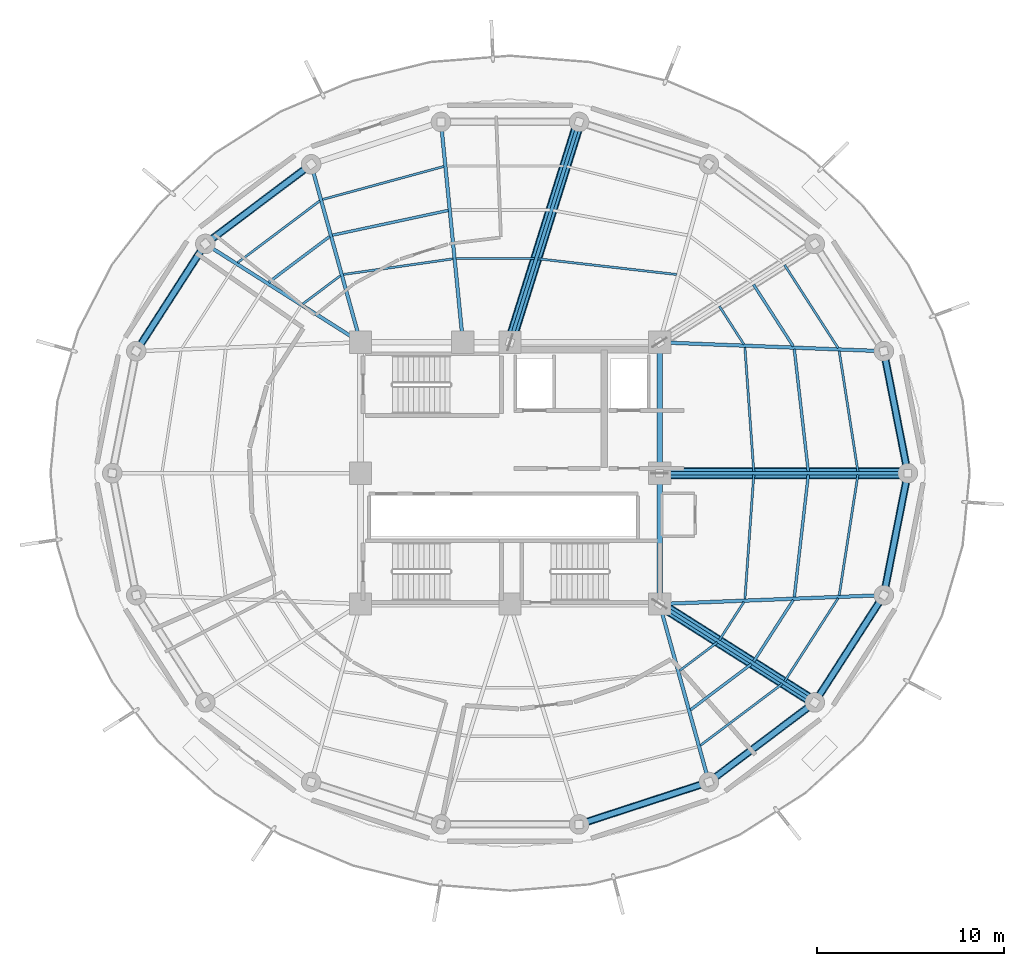
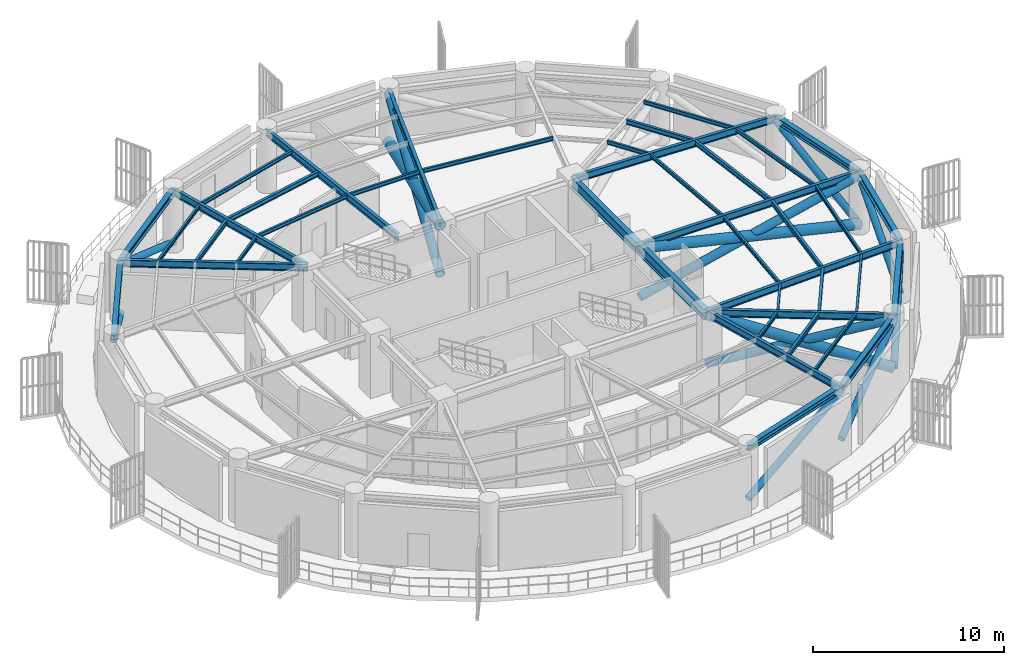
# One storey, part 2 of 10: 41 beams, 13 members.
"""IFC4 building model written with IfcOpenShell, lengths in metres."""

import ifcopenshell
import ifcopenshell.guid

model = None  # the IFC model being written
_history = None  # IfcOwnerHistory: only IFC2X3 demands one
_inside = {}  # id of a spatial element -> (the spatial element, [elements in it])
_under = {}  # id of a project, library or spatial element -> (it, [spatial elements below it])
_declared = {}  # id of a project -> (the project, [libraries it declares])
_typed = {}  # id of a type object -> (the type object, [elements of that type])
_made_of = {}  # id of a material, layer set ... -> (it, [elements and type objects made of it])


def new_model(schema):
    """Start an empty IFC model of exactly this schema.

    Asked for "IFC4X3", IfcOpenShell would pick the latest addendum, in which some entities
    have other attributes; the version numbers below select the first issue.
    IFC2X3 requires an IfcOwnerHistory on every rooted entity: one is made here for all.
    """
    global model, _history
    if schema == "IFC4X3":
        model = ifcopenshell.file(schema_version=(4, 3, 0, 0))
    else:
        model = ifcopenshell.file(schema=schema)
    _inside.clear()
    _under.clear()
    _declared.clear()
    _typed.clear()
    _made_of.clear()
    _history = None
    if model.schema == "IFC2X3":
        org = make("IfcOrganization", Name="unknown")
        user = make(
            "IfcPersonAndOrganization",
            ThePerson=make("IfcPerson", FamilyName="unknown"),
            TheOrganization=org,
        )
        app = make(
            "IfcApplication",
            ApplicationDeveloper=org,
            Version="unknown",
            ApplicationFullName="unknown",
            ApplicationIdentifier="unknown",
        )
        _history = make(
            "IfcOwnerHistory",
            OwningUser=user,
            OwningApplication=app,
            ChangeAction="ADDED",
            CreationDate=0,
        )
    return model


def make(cls, **values):
    """One entity of the class cls with the attributes given. An attribute that is None is left unset."""
    return model.create_entity(
        cls, **{name: value for name, value in values.items() if value is not None}
    )


def rooted(cls, **values):
    """An entity with a GlobalId (a new one), such as an element, a storey or a relation."""
    return make(cls, GlobalId=ifcopenshell.guid.new(), OwnerHistory=_history, **values)


def si_unit(unit_type, name, prefix=None):
    """IfcSIUnit, for example si_unit("LENGTHUNIT", "METRE", prefix="MILLI")."""
    return make("IfcSIUnit", UnitType=unit_type, Prefix=prefix, Name=name)


def assignment(units):
    """IfcUnitAssignment: the units of a project."""
    return None if units is None else make("IfcUnitAssignment", Units=units)


def point(xyz):
    """IfcCartesianPoint."""
    return None if xyz is None else make("IfcCartesianPoint", Coordinates=xyz)


def direction(xyz):
    """IfcDirection."""
    return None if xyz is None else make("IfcDirection", DirectionRatios=xyz)


def frame(location, z_axis=None, x_axis=None):
    """IfcAxis2Placement3D, a coordinate frame: its origin and axes. An axis left out is left unset."""
    return make(
        "IfcAxis2Placement3D",
        Location=point(location),
        Axis=direction(z_axis),
        RefDirection=direction(x_axis),
    )


def frame_2d(location, x_axis=None):
    """IfcAxis2Placement2D, a coordinate frame in the plane: its origin and x axis."""
    return make(
        "IfcAxis2Placement2D", Location=point(location), RefDirection=direction(x_axis)
    )


def origin():
    """The frame at (0, 0, 0) with its axes left unset."""
    return frame((0.0, 0.0, 0.0))


def origin_2d():
    """The frame at (0, 0) in the plane with its x axis left unset."""
    return frame_2d((0.0, 0.0))


def place(relative_to, where):
    """IfcLocalPlacement: puts the frame where relative to a parent placement (None: the world)."""
    return make(
        "IfcLocalPlacement", PlacementRelTo=relative_to, RelativePlacement=where
    )


def context(
    kind, dimensions, precision=None, world=None, true_north=None, identifier=None
):
    """IfcGeometricRepresentationContext, for example the 3D "Model" context."""
    return make(
        "IfcGeometricRepresentationContext",
        ContextIdentifier=identifier,
        ContextType=kind,
        CoordinateSpaceDimension=dimensions,
        Precision=precision,
        WorldCoordinateSystem=world,
        TrueNorth=true_north,
    )


def subcontext(parent, identifier, kind, view, scale=None):
    """IfcGeometricRepresentationSubContext, for example "Body" below "Model"."""
    return make(
        "IfcGeometricRepresentationSubContext",
        ContextIdentifier=identifier,
        ContextType=kind,
        ParentContext=parent,
        TargetScale=scale,
        TargetView=view,
    )


def project(units=None, contexts=None):
    """IfcProject with its units and contexts."""
    return rooted(
        "IfcProject",
        Name="project",
        RepresentationContexts=contexts,
        UnitsInContext=assignment(units),
    )


def spatial(cls, under=None, at=None, **own):
    """A site, building, storey or space (cls), placed at a placement, below another one or the project."""
    s = rooted(cls, ObjectPlacement=at, **own)
    if under is not None:
        _under.setdefault(under.id(), (under, []))[1].append(s)
    return s


def profile(cls, at=None, kind="AREA", **sizes):
    """A parametric profile (cls). Its sizes go by their IFC names, for example OverallWidth=200.0."""
    return make(cls, ProfileType=kind, Position=at, **sizes)


def hollow_circle(**sizes):
    """IfcCircleHollowProfileDef."""
    return profile("IfcCircleHollowProfileDef", **sizes)


def i_section(**sizes):
    """IfcIShapeProfileDef."""
    return profile("IfcIShapeProfileDef", **sizes)


def extrude(swept, where, along, depth):
    """IfcExtrudedAreaSolid: the profile swept, set in the frame where, extruded along a direction by depth."""
    return make(
        "IfcExtrudedAreaSolid",
        SweptArea=swept,
        Position=where,
        ExtrudedDirection=direction(along),
        Depth=depth,
    )


def shape(context_of_items, identifier, shape_type, items):
    """IfcShapeRepresentation: the items that make up one representation, for example the "Body"."""
    return make(
        "IfcShapeRepresentation",
        ContextOfItems=context_of_items,
        RepresentationIdentifier=identifier,
        RepresentationType=shape_type,
        Items=items,
    )


def material(Name=None, Category=None):
    """IfcMaterial."""
    return make("IfcMaterial", Name=Name, Category=Category)


def material_profile(
    of_material, cross_section, Name=None, Category=None, Priority=None
):
    """IfcMaterialProfile: a cross section and its material."""
    return make(
        "IfcMaterialProfile",
        Name=Name,
        Material=of_material,
        Profile=cross_section,
        Priority=Priority,
        Category=Category,
    )


def profile_set(profiles, Name=None, composite=None):
    """IfcMaterialProfileSet."""
    return make(
        "IfcMaterialProfileSet",
        Name=Name,
        MaterialProfiles=profiles,
        CompositeProfile=composite,
    )


def made_of(thing, what):
    """Note that an element or type object is made of a material, layer set ...; save() writes the relation."""
    if what is not None:
        _made_of.setdefault(what.id(), (what, []))[1].append(thing)
    return thing


def type_object(cls, material=None, **own):
    """A type object (cls), such as IfcWallType, which elements share."""
    return made_of(rooted(cls, **own), material)


def element(
    cls,
    number,
    at=None,
    inside=None,
    cuts=None,
    type_object=None,
    material=None,
    context=None,
    identifier="Body",
    shape_type=None,
    held_by="IfcProductDefinitionShape",
    body=None,
    shapes=None,
    **own,
):
    """One element of the class cls, such as IfcWall. Its Tag is "e" and its number.

    at: its placement. inside: the storey or other place that contains it. cuts: it is an
    opening in that element (IfcRelVoidsElement). A single representation is given by context,
    identifier, shape_type and body (its items); several are given by shapes. held_by: the class
    of the entity that holds the representations. save() writes the other relations.
    """
    e = rooted(cls, Tag="e%d" % number, ObjectPlacement=at, **own)
    if body is not None:
        shapes = [shape(context, identifier, shape_type, body)]
    if shapes is not None:
        e.Representation = make(held_by, Representations=shapes)
    if inside is not None:
        _inside.setdefault(inside.id(), (inside, []))[1].append(e)
    if cuts is not None:
        rooted(
            "IfcRelVoidsElement", RelatingBuildingElement=cuts, RelatedOpeningElement=e
        )
    if type_object is not None:
        _typed.setdefault(type_object.id(), (type_object, []))[1].append(e)
    return made_of(e, material)


def aggregate(whole, parts):
    """IfcRelAggregates: a whole, such as a stair, and the parts it consists of."""
    return rooted("IfcRelAggregates", RelatingObject=whole, RelatedObjects=parts)


def save(model, path):
    """Write the relations noted so far, then the file.

    IfcRelAggregates (storeys below a building ...), IfcRelContainedInSpatialStructure (elements
    in a storey), IfcRelDefinesByType, IfcRelAssociatesMaterial and IfcRelDeclares: one each for
    every whole, place, type object, material and project.
    """
    for whole, parts in _under.values():
        aggregate(whole, parts)
    for where, things in _inside.values():
        rooted(
            "IfcRelContainedInSpatialStructure",
            RelatedElements=things,
            RelatingStructure=where,
        )
    for kind, things in _typed.values():
        rooted("IfcRelDefinesByType", RelatedObjects=things, RelatingType=kind)
    for what, things in _made_of.values():
        rooted("IfcRelAssociatesMaterial", RelatedObjects=things, RelatingMaterial=what)
    for by, libraries in _declared.values():
        rooted("IfcRelDeclares", RelatingContext=by, RelatedDefinitions=libraries)
    model.write(path)


model = new_model("IFC4")

# Units and contexts
model_context = context("Model", 3, precision=1e-05, world=origin(), true_north=direction((0.0, 1.0)))
body_context = subcontext(model_context, "Body", "Model", "MODEL_VIEW")
ifc_project = project(units=[si_unit("LENGTHUNIT", "METRE"), si_unit("AREAUNIT", "SQUARE_METRE"), si_unit("VOLUMEUNIT", "CUBIC_METRE"), si_unit("PLANEANGLEUNIT", "RADIAN"), si_unit("MASSUNIT", "GRAM", prefix="KILO")], contexts=[model_context])

# Site, building, storey
site_placement = place(None, origin())
site = spatial("IfcSite", under=ifc_project, at=site_placement, CompositionType="ELEMENT")
building_placement = place(site_placement, origin())
building = spatial("IfcBuilding", under=site, at=building_placement, Name="Kelanora Arch Commons", CompositionType="ELEMENT")
storey_placement = place(building_placement, frame((0.0, 0.0, 189.110107421875)))
storey = spatial("IfcBuildingStorey", under=building, at=storey_placement, Name="L48", CompositionType="ELEMENT", Elevation=189.110107421875)

# Beams
ifc_material = material(Name="Steel S355", Category="steel")
ifc_material_profile_1 = material_profile(ifc_material, i_section(OverallWidth=0.300048828125, OverallDepth=0.699951171875, WebThickness=0.01708984375, FlangeThickness=0.031982421875, FilletRadius=0.027099609375, at=origin_2d()), Name="HEB700")
ifc_profile_set_1 = profile_set([ifc_material_profile_1], Name="Steel S355")
beam_type_1 = type_object("IfcBeamType", Name="BM-CORE-HDR", PredefinedType="BEAM", material=ifc_profile_set_1)
for number, where, z_axis, x_axis, name in (
    (1, (82.0, 51.0, 3.47998046875), (0.0, 1.0, 0.0), (-1.0, 0.0, 0.0), "Core Header Beam 03 L48"),
    (2, (82.0, 58.0, 3.47998046875), (0.0, 1.0, 0.0), (-1.0, 0.0, 0.0), "Core Header Beam 04 L48"),
):
    element("IfcBeam", number, at=place(storey_placement, frame(where, z_axis=z_axis, x_axis=x_axis)), inside=storey, type_object=beam_type_1, Name=name, PredefinedType="BEAM", context=body_context, shape_type="SweptSolid", body=[
        extrude(i_section(OverallWidth=0.300048828125, OverallDepth=0.699951171875, WebThickness=0.01708984375, FlangeThickness=0.031982421875, FilletRadius=0.027099609375, at=origin_2d()), origin(), (0.0, 0.0, 1.0), 7.0),
    ])
ifc_material_profile_2 = material_profile(ifc_material, i_section(OverallWidth=0.14990234375, OverallDepth=0.300048828125, WebThickness=0.007080078125, FlangeThickness=0.0107421875, FilletRadius=0.014892578125, at=origin_2d()), Name="IPE300")
ifc_profile_set_2 = profile_set([ifc_material_profile_2], Name="Steel S355")
beam_type_2 = type_object("IfcBeamType", Name="BM-JST-01", PredefinedType="JOIST", material=ifc_profile_set_2)
beam_1_placement = place(storey_placement, frame((89.958251953125, 58.08447265625, 3.679931640625), z_axis=(-0.113891408177, 0.993493204377, 0.0), x_axis=(-0.993493204377, -0.113891408177, 0.0)))
element("IfcBeam", 3, at=beam_1_placement, inside=storey, type_object=beam_type_2, Name="Secondary Chord Joist BJB-00 L48", PredefinedType="JOIST", context=body_context, shape_type="SweptSolid", body=[
    extrude(i_section(OverallWidth=0.14990234375, OverallDepth=0.300048828125, WebThickness=0.007080078125, FlangeThickness=0.0107421875, FilletRadius=0.014892578125, at=origin_2d()), origin(), (0.0, 0.0, 1.0), 6.589599609375),
])
beam_2_placement = place(storey_placement, frame((89.152099609375, 64.786865234375, 3.679931640625), z_axis=(-0.541411265892, 0.840757896879, 0.0), x_axis=(-0.840757896879, -0.541411265892, 0.0)))
element("IfcBeam", 4, at=beam_2_placement, inside=storey, type_object=beam_type_2, Name="Secondary Chord Joist BJB-02 L48", PredefinedType="JOIST", context=body_context, shape_type="SweptSolid", body=[
    extrude(i_section(OverallWidth=0.14990234375, OverallDepth=0.300048828125, WebThickness=0.007080078125, FlangeThickness=0.0107421875, FilletRadius=0.014892578125, at=origin_2d()), origin(), (0.0, 0.0, 1.0), 3.92529296875),
])
beam_3_placement = place(storey_placement, frame((70.69189453125, 72.056396484375, 3.679931640625), z_axis=(-0.977893715981, -0.209102559153, 0.0), x_axis=(0.209102559153, -0.977893715981, 0.0)))
element("IfcBeam", 5, at=beam_3_placement, inside=storey, type_object=beam_type_2, Name="Secondary Chord Joist BJB-10 L48", PredefinedType="JOIST", context=body_context, shape_type="SweptSolid", body=[
    extrude(i_section(OverallWidth=0.14990234375, OverallDepth=0.300048828125, WebThickness=0.007080078125, FlangeThickness=0.0107421875, FilletRadius=0.014892578125, at=origin_2d()), origin(), (0.0, 0.0, 1.0), 6.332763671875),
])
for number, where, z_axis, x_axis, name in (
    (6, (64.34814453125, 70.6630859375, 3.679931640625), (-0.799101708656, -0.601195857624, 0.0), (0.601195857624, -0.799101708656, 0.0), "Secondary Chord Joist BJB-12 L48"),
    (7, (83.65185546875, 45.3369140625, 3.679931640625), (0.799101708656, 0.601195857624, 0.0), (-0.601195857624, 0.799101708656, 0.0), "Secondary Chord Joist BJB-30 L48"),
):
    element("IfcBeam", number, at=place(storey_placement, frame(where, z_axis=z_axis, x_axis=x_axis)), inside=storey, type_object=beam_type_2, Name=name, PredefinedType="JOIST", context=body_context, shape_type="SweptSolid", body=[
        extrude(i_section(OverallWidth=0.14990234375, OverallDepth=0.300048828125, WebThickness=0.007080078125, FlangeThickness=0.0107421875, FilletRadius=0.014892578125, at=origin_2d()), origin(), (0.0, 0.0, 1.0), 4.080810546875),
    ])
beam_4_placement = place(storey_placement, frame((87.02685546875, 47.912841796875, 3.679931640625), z_axis=(0.541411265892, 0.840757896879, 0.0), x_axis=(-0.840757896879, 0.541411265892, 0.0)))
element("IfcBeam", 8, at=beam_4_placement, inside=storey, type_object=beam_type_2, Name="Secondary Chord Joist BJB-32 L48", PredefinedType="JOIST", context=body_context, shape_type="SweptSolid", body=[
    extrude(i_section(OverallWidth=0.14990234375, OverallDepth=0.300048828125, WebThickness=0.007080078125, FlangeThickness=0.0107421875, FilletRadius=0.014892578125, at=origin_2d()), origin(), (0.0, 0.0, 1.0), 3.92529296875),
])
beam_5_placement = place(storey_placement, frame((89.207763671875, 51.368896484375, 3.679931640625), z_axis=(0.113891408177, 0.993493204377, 0.0), x_axis=(-0.993493204377, 0.113891408177, 0.0)))
element("IfcBeam", 9, at=beam_5_placement, inside=storey, type_object=beam_type_2, Name="Secondary Chord Joist BJB-34 L48", PredefinedType="JOIST", context=body_context, shape_type="SweptSolid", body=[
    extrude(i_section(OverallWidth=0.14990234375, OverallDepth=0.300048828125, WebThickness=0.007080078125, FlangeThickness=0.0107421875, FilletRadius=0.014892578125, at=origin_2d()), origin(), (0.0, 0.0, 1.0), 6.589599609375),
])
ifc_material_profile_3 = material_profile(ifc_material, i_section(OverallWidth=0.1201171875, OverallDepth=0.239990234375, WebThickness=0.006103515625, FlangeThickness=0.009765625, FilletRadius=0.014892578125, at=origin_2d()), Name="IPE240")
ifc_profile_set_3 = profile_set([ifc_material_profile_3], Name="Steel S355")
beam_type_3 = type_object("IfcBeamType", Name="BM-JST-02", PredefinedType="JOIST", material=ifc_profile_set_3)
beam_6_placement = place(storey_placement, frame((87.040283203125, 58.084716796875, 3.7099609375), z_axis=(-0.07133032136, 0.997452748382, 0.0), x_axis=(-0.997452748382, -0.07133032136, 0.0)))
element("IfcBeam", 10, at=beam_6_placement, inside=storey, type_object=beam_type_3, Name="Secondary Chord Joist BJA-00 L48", PredefinedType="JOIST", context=body_context, shape_type="SweptSolid", body=[
    extrude(i_section(OverallWidth=0.1201171875, OverallDepth=0.239990234375, WebThickness=0.006103515625, FlangeThickness=0.009765625, FilletRadius=0.014892578125, at=origin_2d()), origin(), (0.0, 0.0, 1.0), 6.66748046875),
])
beam_7_placement = place(storey_placement, frame((92.611083984375, 58.083984375, 3.7099609375), z_axis=(-0.153256756152, 0.988186402808, 0.0), x_axis=(-0.988186402808, -0.153256756152, 0.0)))
element("IfcBeam", 11, at=beam_7_placement, inside=storey, type_object=beam_type_3, Name="Secondary Chord Joist BJC-00 L48", PredefinedType="JOIST", context=body_context, shape_type="SweptSolid", body=[
    extrude(i_section(OverallWidth=0.1201171875, OverallDepth=0.239990234375, WebThickness=0.006103515625, FlangeThickness=0.009765625, FilletRadius=0.014892578125, at=origin_2d()), origin(), (0.0, 0.0, 1.0), 6.52978515625),
])
beam_8_placement = place(storey_placement, frame((86.5126953125, 64.89111328125, 3.7099609375), z_axis=(-0.541332763503, 0.840808443796, 0.0), x_axis=(-0.840808443796, -0.541332763503, 0.0)))
element("IfcBeam", 12, at=beam_8_placement, inside=storey, type_object=beam_type_3, Name="Secondary Chord Joist BJA-02 L48", PredefinedType="JOIST", context=body_context, shape_type="SweptSolid", body=[
    extrude(i_section(OverallWidth=0.1201171875, OverallDepth=0.239990234375, WebThickness=0.006103515625, FlangeThickness=0.009765625, FilletRadius=0.014892578125, at=origin_2d()), origin(), (0.0, 0.0, 1.0), 2.423583984375),
])
beam_9_placement = place(storey_placement, frame((91.55126953125, 64.69189453125, 3.7099609375), z_axis=(-0.541382492679, 0.840776424872, 0.0), x_axis=(-0.840776424872, -0.541382492679, 0.0)))
element("IfcBeam", 13, at=beam_9_placement, inside=storey, type_object=beam_type_3, Name="Secondary Chord Joist BJC-02 L48", PredefinedType="JOIST", context=body_context, shape_type="SweptSolid", body=[
    extrude(i_section(OverallWidth=0.1201171875, OverallDepth=0.239990234375, WebThickness=0.006103515625, FlangeThickness=0.009765625, FilletRadius=0.014892578125, at=origin_2d()), origin(), (0.0, 0.0, 1.0), 5.29052734375),
])
beam_10_placement = place(storey_placement, frame((82.918701171875, 68.628662109375, 3.7099609375), z_axis=(-0.993639672263, 0.11260640171, 0.0), x_axis=(-0.11260640171, -0.993639672263, 0.0)))
element("IfcBeam", 14, at=beam_10_placement, inside=storey, type_object=beam_type_3, Name="Secondary Chord Joist BJA-06 L48", PredefinedType="JOIST", context=body_context, shape_type="SweptSolid", body=[
    extrude(i_section(OverallWidth=0.1201171875, OverallDepth=0.239990234375, WebThickness=0.006103515625, FlangeThickness=0.009765625, FilletRadius=0.014892578125, at=origin_2d()), origin(), (0.0, 0.0, 1.0), 7.477783203125),
])
beam_11_placement = place(storey_placement, frame((75.319091796875, 69.480224609375, 3.7099609375), z_axis=(-1.0, 0.0, 0.0), x_axis=(0.0, -1.0, 0.0)))
element("IfcBeam", 15, at=beam_11_placement, inside=storey, type_object=beam_type_3, Name="Secondary Chord Joist BJA-08 L48", PredefinedType="JOIST", context=body_context, shape_type="SweptSolid", body=[
    extrude(i_section(OverallWidth=0.1201171875, OverallDepth=0.239990234375, WebThickness=0.006103515625, FlangeThickness=0.009765625, FilletRadius=0.014892578125, at=origin_2d()), origin(), (0.0, 0.0, 1.0), 4.20068359375),
])
beam_12_placement = place(storey_placement, frame((70.94921875, 69.46826171875, 3.7099609375), z_axis=(-0.989977480435, -0.141225310164, 0.0), x_axis=(0.141225310164, -0.989977480435, 0.0)))
element("IfcBeam", 16, at=beam_12_placement, inside=storey, type_object=beam_type_3, Name="Secondary Chord Joist BJA-10 L48", PredefinedType="JOIST", context=body_context, shape_type="SweptSolid", body=[
    extrude(i_section(OverallWidth=0.1201171875, OverallDepth=0.239990234375, WebThickness=0.006103515625, FlangeThickness=0.009765625, FilletRadius=0.014892578125, at=origin_2d()), origin(), (0.0, 0.0, 1.0), 5.927734375),
])
beam_13_placement = place(storey_placement, frame((70.457763671875, 74.40966796875, 3.7099609375), z_axis=(-0.964804863594, -0.262966870889, 0.0), x_axis=(0.262966870889, -0.964804863594, 0.0)))
element("IfcBeam", 17, at=beam_13_placement, inside=storey, type_object=beam_type_3, Name="Secondary Chord Joist BJC-10 L48", PredefinedType="JOIST", context=body_context, shape_type="SweptSolid", body=[
    extrude(i_section(OverallWidth=0.1201171875, OverallDepth=0.239990234375, WebThickness=0.006103515625, FlangeThickness=0.009765625, FilletRadius=0.014892578125, at=origin_2d()), origin(), (0.0, 0.0, 1.0), 6.724365234375),
])
beam_14_placement = place(storey_placement, frame((64.928955078125, 68.56787109375, 3.7099609375), z_axis=(-0.79911638933, -0.601176343766, 0.0), x_axis=(0.601176343766, -0.79911638933, 0.0)))
element("IfcBeam", 18, at=beam_14_placement, inside=storey, type_object=beam_type_3, Name="Secondary Chord Joist BJA-12 L48", PredefinedType="JOIST", context=body_context, shape_type="SweptSolid", body=[
    extrude(i_section(OverallWidth=0.1201171875, OverallDepth=0.239990234375, WebThickness=0.006103515625, FlangeThickness=0.009765625, FilletRadius=0.014892578125, at=origin_2d()), origin(), (0.0, 0.0, 1.0), 2.522216796875),
])
beam_15_placement = place(storey_placement, frame((63.820068359375, 72.56787109375, 3.7099609375), z_axis=(-0.799109197935, -0.601185902842, 0.0), x_axis=(0.601185902842, -0.799109197935, 0.0)))
element("IfcBeam", 19, at=beam_15_placement, inside=storey, type_object=beam_type_3, Name="Secondary Chord Joist BJC-12 L48", PredefinedType="JOIST", context=body_context, shape_type="SweptSolid", body=[
    extrude(i_section(OverallWidth=0.1201171875, OverallDepth=0.239990234375, WebThickness=0.006103515625, FlangeThickness=0.009765625, FilletRadius=0.014892578125, at=origin_2d()), origin(), (0.0, 0.0, 1.0), 5.497802734375),
])
beam_16_placement = place(storey_placement, frame((83.071044921875, 47.43212890625, 3.7099609375), z_axis=(0.79911638933, 0.601176343766, 0.0), x_axis=(-0.601176343766, 0.79911638933, 0.0)))
element("IfcBeam", 20, at=beam_16_placement, inside=storey, type_object=beam_type_3, Name="Secondary Chord Joist BJA-30 L48", PredefinedType="JOIST", context=body_context, shape_type="SweptSolid", body=[
    extrude(i_section(OverallWidth=0.1201171875, OverallDepth=0.239990234375, WebThickness=0.006103515625, FlangeThickness=0.009765625, FilletRadius=0.014892578125, at=origin_2d()), origin(), (0.0, 0.0, 1.0), 2.522216796875),
])
beam_17_placement = place(storey_placement, frame((84.179931640625, 43.43212890625, 3.7099609375), z_axis=(0.799109197935, 0.601185902842, 0.0), x_axis=(-0.601185902842, 0.799109197935, 0.0)))
element("IfcBeam", 21, at=beam_17_placement, inside=storey, type_object=beam_type_3, Name="Secondary Chord Joist BJC-30 L48", PredefinedType="JOIST", context=body_context, shape_type="SweptSolid", body=[
    extrude(i_section(OverallWidth=0.1201171875, OverallDepth=0.239990234375, WebThickness=0.006103515625, FlangeThickness=0.009765625, FilletRadius=0.014892578125, at=origin_2d()), origin(), (0.0, 0.0, 1.0), 5.497802734375),
])
beam_18_placement = place(storey_placement, frame((85.20068359375, 49.071044921875, 3.7099609375), z_axis=(0.541332763503, 0.840808443796, 0.0), x_axis=(-0.840808443796, 0.541332763503, 0.0)))
element("IfcBeam", 22, at=beam_18_placement, inside=storey, type_object=beam_type_3, Name="Secondary Chord Joist BJA-32 L48", PredefinedType="JOIST", context=body_context, shape_type="SweptSolid", body=[
    extrude(i_section(OverallWidth=0.1201171875, OverallDepth=0.239990234375, WebThickness=0.006103515625, FlangeThickness=0.009765625, FilletRadius=0.014892578125, at=origin_2d()), origin(), (0.0, 0.0, 1.0), 2.423583984375),
])
beam_19_placement = place(storey_placement, frame((88.68701171875, 46.85986328125, 3.7099609375), z_axis=(0.541382492679, 0.840776424872, 0.0), x_axis=(-0.840776424872, 0.541382492679, 0.0)))
element("IfcBeam", 23, at=beam_19_placement, inside=storey, type_object=beam_type_3, Name="Secondary Chord Joist BJC-32 L48", PredefinedType="JOIST", context=body_context, shape_type="SweptSolid", body=[
    extrude(i_section(OverallWidth=0.1201171875, OverallDepth=0.239990234375, WebThickness=0.006103515625, FlangeThickness=0.009765625, FilletRadius=0.014892578125, at=origin_2d()), origin(), (0.0, 0.0, 1.0), 5.29052734375),
])
beam_20_placement = place(storey_placement, frame((86.564697265625, 51.264892578125, 3.7099609375), z_axis=(0.07133032136, 0.997452748382, 0.0), x_axis=(-0.997452748382, 0.07133032136, 0.0)))
element("IfcBeam", 24, at=beam_20_placement, inside=storey, type_object=beam_type_3, Name="Secondary Chord Joist BJA-34 L48", PredefinedType="JOIST", context=body_context, shape_type="SweptSolid", body=[
    extrude(i_section(OverallWidth=0.1201171875, OverallDepth=0.239990234375, WebThickness=0.006103515625, FlangeThickness=0.009765625, FilletRadius=0.014892578125, at=origin_2d()), origin(), (0.0, 0.0, 1.0), 6.66748046875),
])
beam_21_placement = place(storey_placement, frame((91.6103515625, 51.46337890625, 3.7099609375), z_axis=(0.153256756152, 0.988186402808, 0.0), x_axis=(-0.988186402808, 0.153256756152, 0.0)))
element("IfcBeam", 25, at=beam_21_placement, inside=storey, type_object=beam_type_3, Name="Secondary Chord Joist BJC-34 L48", PredefinedType="JOIST", context=body_context, shape_type="SweptSolid", body=[
    extrude(i_section(OverallWidth=0.1201171875, OverallDepth=0.239990234375, WebThickness=0.006103515625, FlangeThickness=0.009765625, FilletRadius=0.014892578125, at=origin_2d()), origin(), (0.0, 0.0, 1.0), 6.52978515625),
])
ifc_material_profile_4 = material_profile(ifc_material, i_section(OverallWidth=0.18994140625, OverallDepth=0.449951171875, WebThickness=0.009521484375, FlangeThickness=0.0146484375, FilletRadius=0.02099609375, at=origin_2d()), Name="IPE450")
ifc_profile_set_4 = profile_set([ifc_material_profile_4], Name="Steel S355")
beam_type_4 = type_object("IfcBeamType", Name="BM-RAD-Z4", PredefinedType="BEAM", material=ifc_profile_set_4)
beam_22_placement = place(storey_placement, frame((82.0, 58.0, 3.60498046875), z_axis=(1.0, 0.0, 0.0), x_axis=(0.0, 1.0, 0.0)))
element("IfcBeam", 26, at=beam_22_placement, inside=storey, type_object=beam_type_4, Name="Radial Floor Girder BR-00 L48", PredefinedType="BEAM", context=body_context, shape_type="SweptSolid", body=[
    extrude(i_section(OverallWidth=0.18994140625, OverallDepth=0.449951171875, WebThickness=0.009521484375, FlangeThickness=0.0146484375, FilletRadius=0.02099609375, at=origin_2d()), origin(), (0.0, 0.0, 1.0), 13.280029296875),
])
beam_23_placement = place(storey_placement, frame((82.0, 65.0, 3.60498046875), z_axis=(0.999219142585, -0.03951082246, 0.0), x_axis=(0.03951082246, 0.999219142585, 0.0)))
element("IfcBeam", 27, at=beam_23_placement, inside=storey, type_object=beam_type_4, Name="Radial Floor Girder BR-02 L48", PredefinedType="BEAM", context=body_context, shape_type="SweptSolid", body=[
    extrude(i_section(OverallWidth=0.18994140625, OverallDepth=0.449951171875, WebThickness=0.009521484375, FlangeThickness=0.0146484375, FilletRadius=0.02099609375, at=origin_2d()), origin(), (0.0, 0.0, 1.0), 12.005859375),
])
beam_24_placement = place(storey_placement, frame((74.0, 65.0, 3.60498046875), z_axis=(0.299080457492, 0.954227897279, 0.0), x_axis=(-0.954227897279, 0.299080457492, 0.0)))
element("IfcBeam", 28, at=beam_24_placement, inside=storey, type_object=beam_type_4, Name="Radial Floor Girder BR-08 L48", PredefinedType="BEAM", context=body_context, shape_type="SweptSolid", body=[
    extrude(i_section(OverallWidth=0.18994140625, OverallDepth=0.449951171875, WebThickness=0.009521484375, FlangeThickness=0.0146484375, FilletRadius=0.02099609375, at=origin_2d()), origin(), (0.0, 0.0, 1.0), 12.35546875),
])
beam_25_placement = place(storey_placement, frame((71.47998046875, 65.0, 3.60498046875), z_axis=(-0.099193615558, 0.995068151753, 0.0), x_axis=(-0.995068151753, -0.099193615558, 0.0)))
element("IfcBeam", 29, at=beam_25_placement, inside=storey, type_object=beam_type_4, Name="Radial Floor Girder BR-10 L48", PredefinedType="BEAM", context=body_context, shape_type="SweptSolid", body=[
    extrude(i_section(OverallWidth=0.18994140625, OverallDepth=0.449951171875, WebThickness=0.009521484375, FlangeThickness=0.0146484375, FilletRadius=0.02099609375, at=origin_2d()), origin(), (0.0, 0.0, 1.0), 11.848388671875),
])
beam_26_placement = place(storey_placement, frame((66.0, 65.0, 3.60498046875), z_axis=(-0.267120164296, 0.963663228429, 0.0), x_axis=(-0.963663228429, -0.267120164296, 0.0)))
element("IfcBeam", 30, at=beam_26_placement, inside=storey, type_object=beam_type_4, Name="Radial Floor Girder BR-12 L48", PredefinedType="BEAM", context=body_context, shape_type="SweptSolid", body=[
    extrude(i_section(OverallWidth=0.18994140625, OverallDepth=0.449951171875, WebThickness=0.009521484375, FlangeThickness=0.0146484375, FilletRadius=0.02099609375, at=origin_2d()), origin(), (0.0, 0.0, 1.0), 9.8828125),
])
beam_27_placement = place(storey_placement, frame((66.0, 65.0, 3.60498046875), z_axis=(-0.844507208607, 0.535544185489, 0.0), x_axis=(-0.535544185489, -0.844507208607, 0.0)))
element("IfcBeam", 31, at=beam_27_placement, inside=storey, type_object=beam_type_4, Name="Radial Floor Girder BR-14 L48", PredefinedType="BEAM", context=body_context, shape_type="SweptSolid", body=[
    extrude(i_section(OverallWidth=0.18994140625, OverallDepth=0.449951171875, WebThickness=0.009521484375, FlangeThickness=0.0146484375, FilletRadius=0.02099609375, at=origin_2d()), origin(), (0.0, 0.0, 1.0), 9.830078125),
])
beam_28_placement = place(storey_placement, frame((82.0, 51.0, 3.60498046875), z_axis=(0.267120164296, -0.963663228429, 0.0), x_axis=(0.963663228429, 0.267120164296, 0.0)))
element("IfcBeam", 32, at=beam_28_placement, inside=storey, type_object=beam_type_4, Name="Radial Floor Girder BR-30 L48", PredefinedType="BEAM", context=body_context, shape_type="SweptSolid", body=[
    extrude(i_section(OverallWidth=0.18994140625, OverallDepth=0.449951171875, WebThickness=0.009521484375, FlangeThickness=0.0146484375, FilletRadius=0.02099609375, at=origin_2d()), origin(), (0.0, 0.0, 1.0), 9.8828125),
])
beam_29_placement = place(storey_placement, frame((82.0, 51.0, 3.60498046875), z_axis=(0.844507208607, -0.535544185489, 0.0), x_axis=(0.535544185489, 0.844507208607, 0.0)))
element("IfcBeam", 33, at=beam_29_placement, inside=storey, type_object=beam_type_4, Name="Radial Floor Girder BR-32 L48", PredefinedType="BEAM", context=body_context, shape_type="SweptSolid", body=[
    extrude(i_section(OverallWidth=0.18994140625, OverallDepth=0.449951171875, WebThickness=0.009521484375, FlangeThickness=0.0146484375, FilletRadius=0.02099609375, at=origin_2d()), origin(), (0.0, 0.0, 1.0), 9.830078125),
])
beam_30_placement = place(storey_placement, frame((82.0, 51.0, 3.60498046875), z_axis=(0.999219142585, 0.03951082246, 0.0), x_axis=(-0.03951082246, 0.999219142585, 0.0)))
element("IfcBeam", 34, at=beam_30_placement, inside=storey, type_object=beam_type_4, Name="Radial Floor Girder BR-34 L48", PredefinedType="BEAM", context=body_context, shape_type="SweptSolid", body=[
    extrude(i_section(OverallWidth=0.18994140625, OverallDepth=0.449951171875, WebThickness=0.009521484375, FlangeThickness=0.0146484375, FilletRadius=0.02099609375, at=origin_2d()), origin(), (0.0, 0.0, 1.0), 12.005859375),
])
ifc_material_profile_5 = material_profile(ifc_material, i_section(OverallWidth=0.300048828125, OverallDepth=0.39990234375, WebThickness=0.013427734375, FlangeThickness=0.02392578125, FilletRadius=0.027099609375, at=origin_2d()), Name="HEB400")
ifc_profile_set_5 = profile_set([ifc_material_profile_5], Name="Steel S355")
beam_type_5 = type_object("IfcBeamType", Name="BM-SPN-Z4", PredefinedType="SPANDREL", material=ifc_profile_set_5)
beam_31_placement = place(storey_placement, frame((95.280029296875, 58.0, 3.6298828125), z_axis=(-0.192980724826, 0.981202547819, 0.0), x_axis=(-0.981202547819, -0.192980724826, 0.0)))
element("IfcBeam", 35, at=beam_31_placement, inside=storey, type_object=beam_type_5, Name="Perimeter Spandrel Beam BS-00 L48", PredefinedType="SPANDREL", context=body_context, shape_type="SweptSolid", body=[
    extrude(i_section(OverallWidth=0.300048828125, OverallDepth=0.39990234375, WebThickness=0.013427734375, FlangeThickness=0.02392578125, FilletRadius=0.027099609375, at=origin_2d()), origin(), (0.0, 0.0, 1.0), 6.650634765625),
])
beam_32_placement = place(storey_placement, frame((63.360107421875, 74.523681640625, 3.6298828125), z_axis=(-0.799114211715, -0.60117923836, 0.0), x_axis=(0.60117923836, -0.799114211715, 0.0)))
element("IfcBeam", 36, at=beam_32_placement, inside=storey, type_object=beam_type_5, Name="Perimeter Spandrel Beam BS-12 L48", PredefinedType="SPANDREL", context=body_context, shape_type="SweptSolid", body=[
    extrude(i_section(OverallWidth=0.300048828125, OverallDepth=0.39990234375, WebThickness=0.013427734375, FlangeThickness=0.02392578125, FilletRadius=0.027099609375, at=origin_2d()), origin(), (0.0, 0.0, 1.0), 7.0849609375),
])
beam_33_placement = place(storey_placement, frame((57.698486328125, 70.264404296875, 3.6298828125), z_axis=(-0.541364878868, -0.840787766281, 0.0), x_axis=(0.840787766281, -0.541364878868, 0.0)))
element("IfcBeam", 37, at=beam_33_placement, inside=storey, type_object=beam_type_5, Name="Perimeter Spandrel Beam BS-14 L48", PredefinedType="SPANDREL", context=body_context, shape_type="SweptSolid", body=[
    extrude(i_section(OverallWidth=0.300048828125, OverallDepth=0.39990234375, WebThickness=0.013427734375, FlangeThickness=0.02392578125, FilletRadius=0.027099609375, at=origin_2d()), origin(), (0.0, 0.0, 1.0), 6.825439453125),
])
beam_34_placement = place(storey_placement, frame((77.6953125, 39.2099609375, 3.6298828125), z_axis=(0.950656361143, 0.310245842872, 0.0), x_axis=(-0.310245842872, 0.950656361143, 0.0)))
element("IfcBeam", 38, at=beam_34_placement, inside=storey, type_object=beam_type_5, Name="Perimeter Spandrel Beam BS-28 L48", PredefinedType="SPANDREL", context=body_context, shape_type="SweptSolid", body=[
    extrude(i_section(OverallWidth=0.300048828125, OverallDepth=0.39990234375, WebThickness=0.013427734375, FlangeThickness=0.02392578125, FilletRadius=0.027099609375, at=origin_2d()), origin(), (0.0, 0.0, 1.0), 7.304931640625),
])
beam_35_placement = place(storey_placement, frame((84.639892578125, 41.476318359375, 3.6298828125), z_axis=(0.799114211715, 0.60117923836, 0.0), x_axis=(-0.60117923836, 0.799114211715, 0.0)))
element("IfcBeam", 39, at=beam_35_placement, inside=storey, type_object=beam_type_5, Name="Perimeter Spandrel Beam BS-30 L48", PredefinedType="SPANDREL", context=body_context, shape_type="SweptSolid", body=[
    extrude(i_section(OverallWidth=0.300048828125, OverallDepth=0.39990234375, WebThickness=0.013427734375, FlangeThickness=0.02392578125, FilletRadius=0.027099609375, at=origin_2d()), origin(), (0.0, 0.0, 1.0), 7.0849609375),
])
beam_36_placement = place(storey_placement, frame((90.301513671875, 45.735595703125, 3.6298828125), z_axis=(0.541364878868, 0.840787766281, 0.0), x_axis=(-0.840787766281, 0.541364878868, 0.0)))
element("IfcBeam", 40, at=beam_36_placement, inside=storey, type_object=beam_type_5, Name="Perimeter Spandrel Beam BS-32 L48", PredefinedType="SPANDREL", context=body_context, shape_type="SweptSolid", body=[
    extrude(i_section(OverallWidth=0.300048828125, OverallDepth=0.39990234375, WebThickness=0.013427734375, FlangeThickness=0.02392578125, FilletRadius=0.027099609375, at=origin_2d()), origin(), (0.0, 0.0, 1.0), 6.825439453125),
])
beam_37_placement = place(storey_placement, frame((93.99658203125, 51.474365234375, 3.6298828125), z_axis=(0.192980724826, 0.981202547819, 0.0), x_axis=(-0.981202547819, 0.192980724826, 0.0)))
element("IfcBeam", 41, at=beam_37_placement, inside=storey, type_object=beam_type_5, Name="Perimeter Spandrel Beam BS-34 L48", PredefinedType="SPANDREL", context=body_context, shape_type="SweptSolid", body=[
    extrude(i_section(OverallWidth=0.300048828125, OverallDepth=0.39990234375, WebThickness=0.013427734375, FlangeThickness=0.02392578125, FilletRadius=0.027099609375, at=origin_2d()), origin(), (0.0, 0.0, 1.0), 6.650634765625),
])

# Members
ifc_material_profile_6 = material_profile(ifc_material, hollow_circle(Radius=0.203125, WallThickness=0.02001953125, at=origin_2d()), Name="CHS406.4x20")
ifc_profile_set_6 = profile_set([ifc_material_profile_6], Name="Steel S355")
member_type_1 = type_object("IfcMemberType", Name="MEM-BELT-DIAG", PredefinedType="BRACE", material=ifc_profile_set_6)
member_1_placement = place(storey_placement, frame((95.280029296875, 58.0, 0.349853515625), z_axis=(-0.174608428839, 0.8877893655, 0.425842622436), x_axis=(-0.981202547819, -0.192980724826, 0.0)))
element("IfcMember", 42, at=member_1_placement, inside=storey, type_object=member_type_1, Name="Belt Truss Diagonal MB-00 L48", PredefinedType="BRACE", context=body_context, shape_type="SweptSolid", body=[
    extrude(hollow_circle(Radius=0.203125, WallThickness=0.02001953125, at=origin_2d()), origin(), (0.0, 0.0, 1.0), 7.350341796875),
])
member_2_placement = place(storey_placement, frame((63.360107421875, 74.523681640625, 0.349853515625), z_axis=(-0.730954222273, -0.549901999214, 0.404120917799), x_axis=(0.60117923836, -0.799114211715, 0.0)))
element("IfcMember", 43, at=member_2_placement, inside=storey, type_object=member_type_1, Name="Belt Truss Diagonal MB-12 L48", PredefinedType="BRACE", context=body_context, shape_type="SweptSolid", body=[
    extrude(hollow_circle(Radius=0.203125, WallThickness=0.02001953125, at=origin_2d()), origin(), (0.0, 0.0, 1.0), 7.74560546875),
])
member_3_placement = place(storey_placement, frame((57.698486328125, 70.264404296875, 0.349853515625), z_axis=(-0.492086938598, -0.764254745866, 0.416851446301), x_axis=(0.840787766281, -0.541364878868, 0.0)))
element("IfcMember", 44, at=member_3_placement, inside=storey, type_object=member_type_1, Name="Belt Truss Diagonal MB-14 L48", PredefinedType="BRACE", context=body_context, shape_type="SweptSolid", body=[
    extrude(hollow_circle(Radius=0.203125, WallThickness=0.02001953125, at=origin_2d()), origin(), (0.0, 0.0, 1.0), 7.509033203125),
])
member_4_placement = place(storey_placement, frame((77.6953125, 39.2099609375, 0.349853515625), z_axis=(0.873817195322, 0.285169450665, 0.393855168262), x_axis=(-0.310245842872, 0.950656361143, 0.0)))
element("IfcMember", 45, at=member_4_placement, inside=storey, type_object=member_type_1, Name="Belt Truss Diagonal MB-28 L48", PredefinedType="BRACE", context=body_context, shape_type="SweptSolid", body=[
    extrude(hollow_circle(Radius=0.203125, WallThickness=0.02001953125, at=origin_2d()), origin(), (0.0, 0.0, 1.0), 7.947509765625),
])
member_5_placement = place(storey_placement, frame((84.639892578125, 41.476318359375, 0.349853515625), z_axis=(0.730954222273, 0.549901999214, 0.404120917799), x_axis=(-0.60117923836, 0.799114211715, 0.0)))
element("IfcMember", 46, at=member_5_placement, inside=storey, type_object=member_type_1, Name="Belt Truss Diagonal MB-30 L48", PredefinedType="BRACE", context=body_context, shape_type="SweptSolid", body=[
    extrude(hollow_circle(Radius=0.203125, WallThickness=0.02001953125, at=origin_2d()), origin(), (0.0, 0.0, 1.0), 7.74560546875),
])
member_6_placement = place(storey_placement, frame((90.301513671875, 45.735595703125, 0.349853515625), z_axis=(0.492086938598, 0.764254745866, 0.416851446301), x_axis=(-0.840787766281, 0.541364878868, 0.0)))
element("IfcMember", 47, at=member_6_placement, inside=storey, type_object=member_type_1, Name="Belt Truss Diagonal MB-32 L48", PredefinedType="BRACE", context=body_context, shape_type="SweptSolid", body=[
    extrude(hollow_circle(Radius=0.203125, WallThickness=0.02001953125, at=origin_2d()), origin(), (0.0, 0.0, 1.0), 7.509033203125),
])
member_7_placement = place(storey_placement, frame((93.99658203125, 51.474365234375, 0.349853515625), z_axis=(0.174608428839, 0.8877893655, 0.425842622436), x_axis=(-0.981202547819, 0.192980724826, 0.0)))
element("IfcMember", 48, at=member_7_placement, inside=storey, type_object=member_type_1, Name="Belt Truss Diagonal MB-34 L48", PredefinedType="BRACE", context=body_context, shape_type="SweptSolid", body=[
    extrude(hollow_circle(Radius=0.203125, WallThickness=0.02001953125, at=origin_2d()), origin(), (0.0, 0.0, 1.0), 7.350341796875),
])
ifc_material_profile_7 = material_profile(ifc_material, hollow_circle(Radius=0.304931640625, WallThickness=0.030029296875, at=origin_2d()), Name="CHS610x30")
ifc_profile_set_7 = profile_set([ifc_material_profile_7], Name="Steel S355")
member_type_2 = type_object("IfcMemberType", Name="MEM-OUT-CHORD", PredefinedType="CHORD", material=ifc_profile_set_7)
member_8_placement = place(storey_placement, frame((82.0, 51.0, 3.47998046875), z_axis=(0.804695982671, -0.510297899431, -0.303414616176), x_axis=(0.535544185489, 0.844507208607, 0.0)))
element("IfcMember", 49, at=member_8_placement, inside=storey, type_object=member_type_2, Name="Outrigger Counter-Brace MO-32B L48", PredefinedType="CHORD", context=body_context, shape_type="SweptSolid", body=[
    extrude(hollow_circle(Radius=0.304931640625, WallThickness=0.030029296875, at=origin_2d()), origin(), (0.0, 0.0, 1.0), 10.31640625),
])
member_9_placement = place(storey_placement, frame((82.0, 58.0, 3.47998046875), z_axis=(0.973328624494, 0.0, -0.229415319324), x_axis=(0.0, 1.0, 0.0)))
element("IfcMember", 50, at=member_9_placement, inside=storey, type_object=member_type_2, Name="Outrigger Counter-Brace MO-00B L48", PredefinedType="CHORD", context=body_context, shape_type="SweptSolid", body=[
    extrude(hollow_circle(Radius=0.304931640625, WallThickness=0.030029296875, at=origin_2d()), origin(), (0.0, 0.0, 1.0), 13.64404296875),
])
member_10_placement = place(storey_placement, frame((74.0, 65.0, 3.47998046875), z_axis=(0.289921586576, 0.925006161398, -0.245579060616), x_axis=(-0.954227897279, 0.299080457492, 0.0)))
element("IfcMember", 51, at=member_10_placement, inside=storey, type_object=member_type_2, Name="Outrigger Counter-Brace MO-08B L48", PredefinedType="CHORD", context=body_context, shape_type="SweptSolid", body=[
    extrude(hollow_circle(Radius=0.304931640625, WallThickness=0.030029296875, at=origin_2d()), origin(), (0.0, 0.0, 1.0), 12.745849609375),
])
ifc_material_profile_8 = material_profile(ifc_material, hollow_circle(Radius=0.25390625, WallThickness=0.02490234375, at=origin_2d()), Name="CHS508x25")
ifc_profile_set_8 = profile_set([ifc_material_profile_8], Name="Steel S355")
member_type_3 = type_object("IfcMemberType", Name="MEM-OUT-DIAG", PredefinedType="BRACE", material=ifc_profile_set_8)
member_11_placement = place(storey_placement, frame((82.0, 51.0, 0.349853515625), z_axis=(0.804695982671, -0.510297899431, 0.303414616176), x_axis=(0.535544185489, 0.844507208607, 0.0)))
element("IfcMember", 52, at=member_11_placement, inside=storey, type_object=member_type_3, Name="Outrigger Diagonal MO-32A L48", PredefinedType="BRACE", context=body_context, shape_type="SweptSolid", body=[
    extrude(hollow_circle(Radius=0.25390625, WallThickness=0.02490234375, at=origin_2d()), origin(), (0.0, 0.0, 1.0), 10.31640625),
])
member_12_placement = place(storey_placement, frame((82.0, 58.0, 0.349853515625), z_axis=(0.973328624494, 0.0, 0.229415319324), x_axis=(0.0, 1.0, 0.0)))
element("IfcMember", 53, at=member_12_placement, inside=storey, type_object=member_type_3, Name="Outrigger Diagonal MO-00A L48", PredefinedType="BRACE", context=body_context, shape_type="SweptSolid", body=[
    extrude(hollow_circle(Radius=0.25390625, WallThickness=0.02490234375, at=origin_2d()), origin(), (0.0, 0.0, 1.0), 13.64404296875),
])
member_13_placement = place(storey_placement, frame((74.0, 65.0, 0.349853515625), z_axis=(0.289921586576, 0.925006161398, 0.245579060616), x_axis=(-0.954227897279, 0.299080457492, 0.0)))
element("IfcMember", 54, at=member_13_placement, inside=storey, type_object=member_type_3, Name="Outrigger Diagonal MO-08A L48", PredefinedType="BRACE", context=body_context, shape_type="SweptSolid", body=[
    extrude(hollow_circle(Radius=0.25390625, WallThickness=0.02490234375, at=origin_2d()), origin(), (0.0, 0.0, 1.0), 12.745849609375),
])

save(model, "model.ifc")
